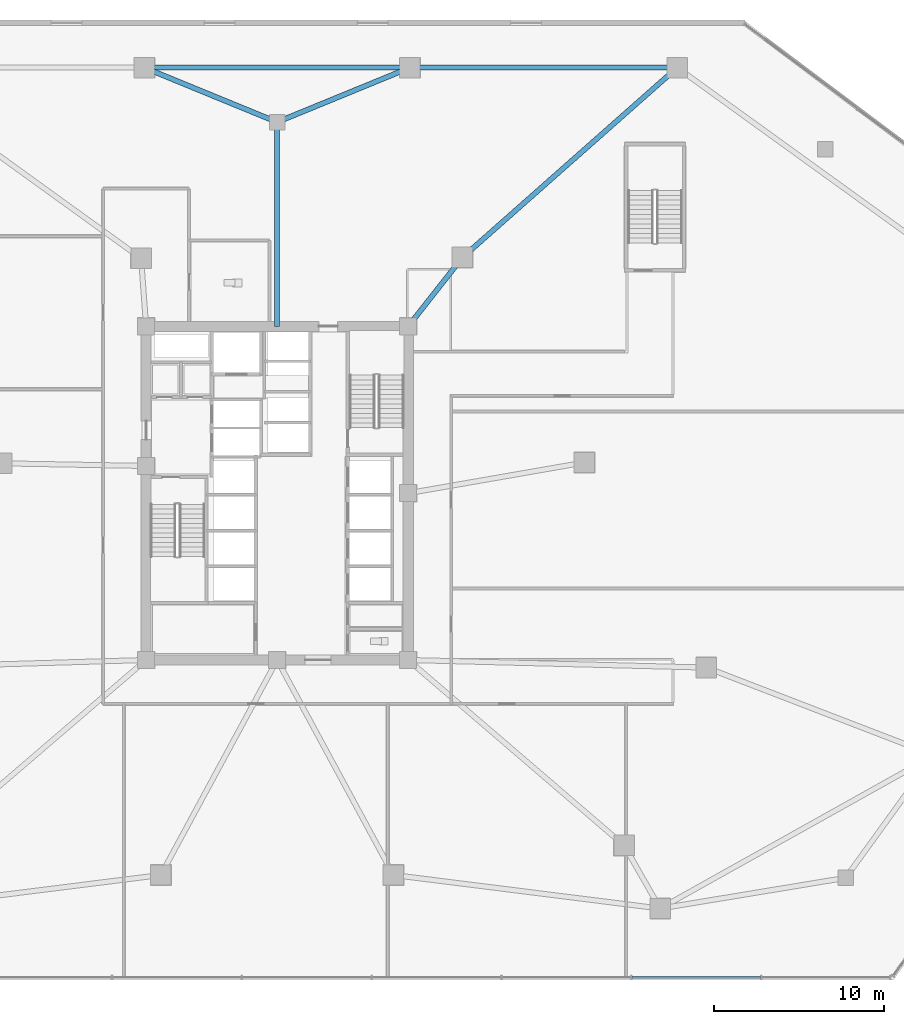
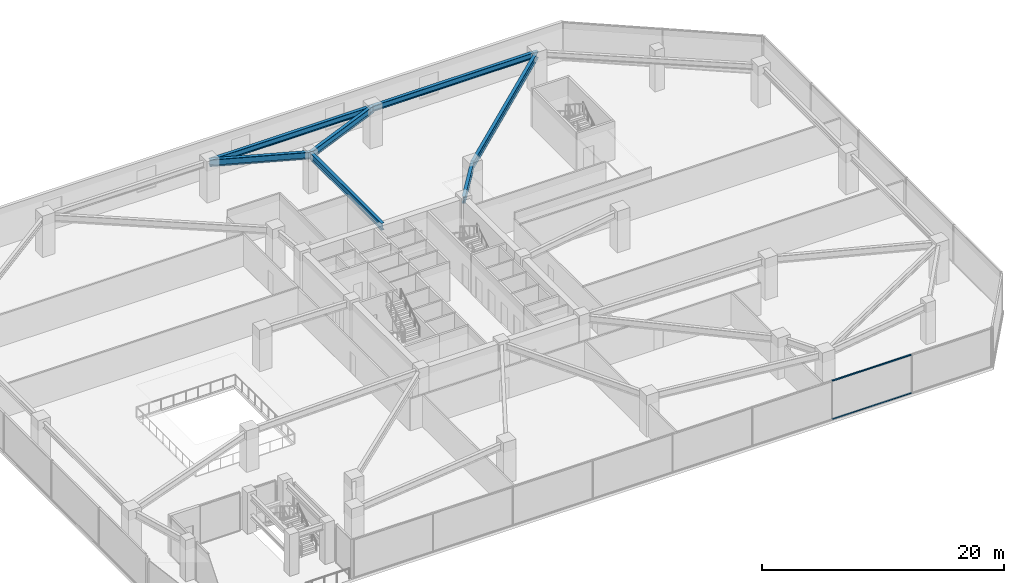
# One storey, part 7 of 22: 7 beams, 2 members, 1 element without a shape of its own.
"""IFC4 building model written with IfcOpenShell, lengths in metres."""

from ifc_helpers import new_model, si_unit, direction, frame, origin, origin_2d, place, context, subcontext, project, spatial, rectangle, i_section, extrude, material, material_profile, profile_set, type_object, element, aggregate, save


model = new_model("IFC4")

# Units and contexts
model_context = context("Model", 3, precision=1e-05, world=origin(), true_north=direction((0.0, 1.0)))
body_context = subcontext(model_context, "Body", "Model", "MODEL_VIEW")
ifc_project = project(units=[si_unit("LENGTHUNIT", "METRE"), si_unit("AREAUNIT", "SQUARE_METRE"), si_unit("VOLUMEUNIT", "CUBIC_METRE"), si_unit("PLANEANGLEUNIT", "RADIAN"), si_unit("MASSUNIT", "GRAM", prefix="KILO")], contexts=[model_context])

# Site, building, storey
site_placement = place(None, origin())
site = spatial("IfcSite", under=ifc_project, at=site_placement, CompositionType="ELEMENT")
building_placement = place(site_placement, origin())
building = spatial("IfcBuilding", under=site, at=building_placement, Name="Savorim Split Tower", CompositionType="ELEMENT")
storey_placement = place(building_placement, frame((0.0, 0.0, 13.39990234375)))
storey = spatial("IfcBuildingStorey", under=building, at=storey_placement, Name="L03", CompositionType="ELEMENT", Elevation=13.39990234375)

# Beams
ifc_material_1 = material(Name="Steel S355", Category="steel")
ifc_material_profile_1 = material_profile(ifc_material_1, i_section(OverallWidth=0.300048828125, OverallDepth=0.699951171875, WebThickness=0.01708984375, FlangeThickness=0.031982421875, FilletRadius=0.027099609375, at=origin_2d()), Name="HEB 700")
ifc_profile_set_1 = profile_set([ifc_material_profile_1], Name="Steel S355")
beam_type_1 = type_object("IfcBeamType", Name="BM-PRI-HEB700", PredefinedType="BEAM", material=ifc_profile_set_1)
beam_1_placement = place(storey_placement, frame((23.5, 25.39990234375, 3.570068359375), z_axis=(-0.749278545997, -0.66225498149, 0.0), x_axis=(0.66225498149, -0.749278545997, 0.0)))
element("IfcBeam", 1, at=beam_1_placement, inside=storey, type_object=beam_type_1, Name="L03 Podium Primary Girder BG-11", PredefinedType="BEAM", context=body_context, shape_type="SweptSolid", body=[
    extrude(i_section(OverallWidth=0.300048828125, OverallDepth=0.699951171875, WebThickness=0.01708984375, FlangeThickness=0.031982421875, FilletRadius=0.027099609375, at=origin_2d()), origin(), (0.0, 0.0, 1.0), 16.83544921875),
])
for number, where, z_axis, x_axis, name in (
    (2, (7.800048828125, 25.39990234375, 3.570068359375), (-0.925171486421, -0.379549365317, 0.0), (0.379549365317, -0.925171486421, 0.0), "L03 Podium Primary Girder BG-12"),
    (3, (-7.800048828125, 25.39990234375, 3.570068359375), (0.925171486421, -0.379549365317, 0.0), (0.379549365317, 0.925171486421, 0.0), "L03 Podium Primary Girder BG-13"),
):
    element("IfcBeam", number, at=place(storey_placement, frame(where, z_axis=z_axis, x_axis=x_axis)), inside=storey, type_object=beam_type_1, Name=name, PredefinedType="BEAM", context=body_context, shape_type="SweptSolid", body=[
        extrude(i_section(OverallWidth=0.300048828125, OverallDepth=0.699951171875, WebThickness=0.01708984375, FlangeThickness=0.031982421875, FilletRadius=0.027099609375, at=origin_2d()), origin(), (0.0, 0.0, 1.0), 8.430908203125),
    ])
beam_2_placement = place(storey_placement, frame((0.0, 22.199951171875, 3.570068359375), z_axis=(0.0, -1.0, 0.0), x_axis=(1.0, 0.0, 0.0)))
element("IfcBeam", 4, at=beam_2_placement, inside=storey, type_object=beam_type_1, Name="L03 Podium Primary Girder BG-14", PredefinedType="BEAM", context=body_context, shape_type="SweptSolid", body=[
    extrude(i_section(OverallWidth=0.300048828125, OverallDepth=0.699951171875, WebThickness=0.01708984375, FlangeThickness=0.031982421875, FilletRadius=0.027099609375, at=origin_2d()), origin(), (0.0, 0.0, 1.0), 12.0),
])
beam_3_placement = place(storey_placement, frame((10.885498046875, 14.25048828125, 3.570068359375), z_axis=(-0.618179283891, -0.786037132054, 0.0), x_axis=(0.786037132054, -0.618179283891, 0.0)))
element("IfcBeam", 5, at=beam_3_placement, inside=storey, type_object=beam_type_1, Name="L03 Podium Primary Girder BG-28", PredefinedType="BEAM", context=body_context, shape_type="SweptSolid", body=[
    extrude(i_section(OverallWidth=0.300048828125, OverallDepth=0.699951171875, WebThickness=0.01708984375, FlangeThickness=0.031982421875, FilletRadius=0.027099609375, at=origin_2d()), origin(), (0.0, 0.0, 1.0), 5.153076171875),
])
ifc_material_profile_2 = material_profile(ifc_material_1, i_section(OverallWidth=0.300048828125, OverallDepth=0.590087890625, WebThickness=0.012939453125, FlangeThickness=0.02490234375, FilletRadius=0.027099609375, at=origin_2d()), Name="HEA 600")
ifc_profile_set_2 = profile_set([ifc_material_profile_2], Name="Steel S355")
beam_type_2 = type_object("IfcBeamType", Name="BM-SPN-HEA600", PredefinedType="SPANDREL", material=ifc_profile_set_2)
beam_4_placement = place(storey_placement, frame((23.5, 25.39990234375, 3.625), z_axis=(-1.0, 0.0, 0.0), x_axis=(0.0, -1.0, 0.0)))
element("IfcBeam", 6, at=beam_4_placement, inside=storey, type_object=beam_type_2, Name="L03 Podium Spandrel Beam 6", PredefinedType="SPANDREL", context=body_context, shape_type="SweptSolid", body=[
    extrude(i_section(OverallWidth=0.300048828125, OverallDepth=0.590087890625, WebThickness=0.012939453125, FlangeThickness=0.02490234375, FilletRadius=0.027099609375, at=origin_2d()), origin(), (0.0, 0.0, 1.0), 15.699951171875),
])
beam_5_placement = place(storey_placement, frame((7.800048828125, 25.39990234375, 3.625), z_axis=(-1.0, 0.0, 0.0), x_axis=(0.0, -1.0, 0.0)))
element("IfcBeam", 7, at=beam_5_placement, inside=storey, type_object=beam_type_2, Name="L03 Podium Spandrel Beam 7", PredefinedType="SPANDREL", context=body_context, shape_type="SweptSolid", body=[
    extrude(i_section(OverallWidth=0.300048828125, OverallDepth=0.590087890625, WebThickness=0.012939453125, FlangeThickness=0.02490234375, FilletRadius=0.027099609375, at=origin_2d()), origin(), (0.0, 0.0, 1.0), 15.60009765625),
])

# Curtain wall, members
ifc_material_2 = material(Name="Dark Ceramic-Fritted Insulated Glass", Category="glass")
curtain_wall_type = type_object("IfcCurtainWallType", Name="CW-POD-GLZ", PredefinedType="NOTDEFINED", material=ifc_material_2)
curtain_wall_placement = place(storey_placement, origin())
curtain_wall = element("IfcCurtainWall", 8, at=curtain_wall_placement, inside=storey, type_object=curtain_wall_type, Name="L03 Curtain Wall CW-L03-E04", PredefinedType="NOTDEFINED")
ifc_material_3 = material(Name="Charcoal Anodised Aluminium", Category="aluminium")
ifc_material_profile_3 = material_profile(ifc_material_3, rectangle(XDim=0.159912109375, YDim=0.06005859375, at=origin_2d()), Name="ALU-T 160x60")
ifc_profile_set_3 = profile_set([ifc_material_profile_3], Name="Charcoal Anodised Aluminium")
member_type = type_object("IfcMemberType", Name="CWT-160x60", PredefinedType="USERDEFINED", material=ifc_profile_set_3)
member_1_placement = place(storey_placement, frame((20.84130859375, -28.0400390625, 0.030029296875), z_axis=(1.0, 0.0, 0.0), x_axis=(0.0, 1.0, 0.0)))
member_1 = element("IfcMember", 9, at=member_1_placement, type_object=member_type, Name="CW-01 transom 7.1", ObjectType="TRANSOM", PredefinedType="USERDEFINED", context=body_context, shape_type="SweptSolid", body=[
    extrude(rectangle(XDim=0.159912109375, YDim=0.06005859375, at=origin_2d()), origin(), (0.0, 0.0, 1.0), 7.556884765625),
])
member_2_placement = place(storey_placement, frame((20.84130859375, -28.0400390625, 3.89013671875), z_axis=(1.0, 0.0, 0.0), x_axis=(0.0, 1.0, 0.0)))
member_2 = element("IfcMember", 10, at=member_2_placement, type_object=member_type, Name="CW-01 transom 7.2", ObjectType="TRANSOM", PredefinedType="USERDEFINED", context=body_context, shape_type="SweptSolid", body=[
    extrude(rectangle(XDim=0.159912109375, YDim=0.06005859375, at=origin_2d()), origin(), (0.0, 0.0, 1.0), 7.556884765625),
])
aggregate(curtain_wall, [member_1, member_2])

save(model, "model.ifc")
